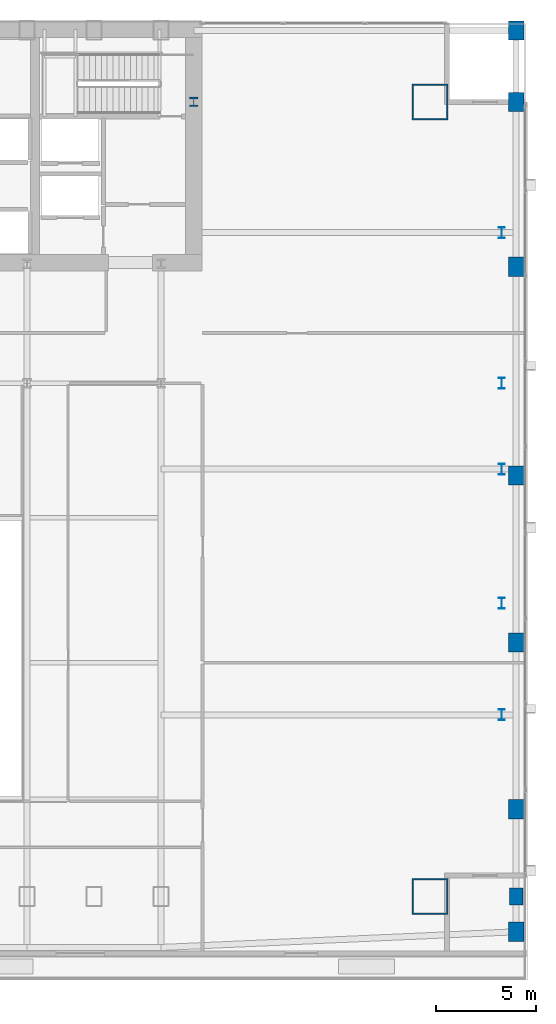
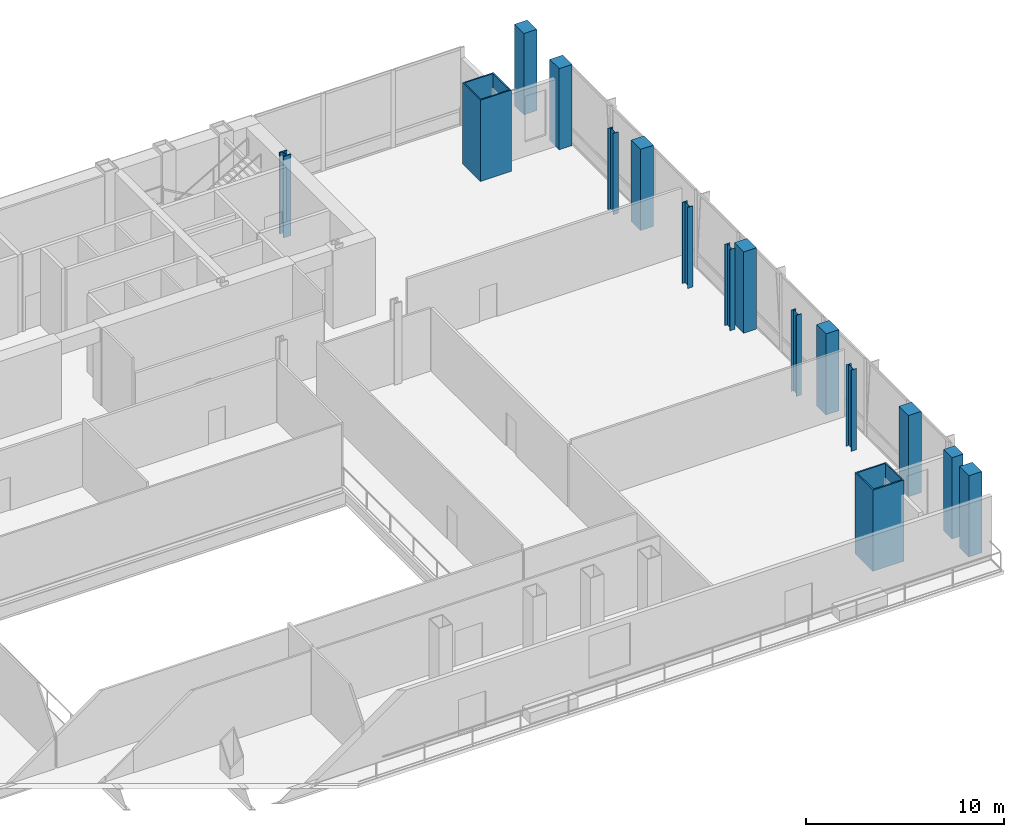
# One storey, part 4 of 25: 16 columns.
"""IFC4 building model written with IfcOpenShell, lengths in metres."""

from ifc_helpers import new_model, si_unit, direction, frame, origin, origin_2d, place, context, subcontext, project, spatial, rectangle, hollow_rectangle, i_section, extrude, material, material_profile, profile_set, type_object, element, save


model = new_model("IFC4")

# Units and contexts
model_context = context("Model", 3, precision=1e-05, world=origin(), true_north=direction((0.0, 1.0)))
body_context = subcontext(model_context, "Body", "Model", "MODEL_VIEW")
ifc_project = project(units=[si_unit("LENGTHUNIT", "METRE"), si_unit("AREAUNIT", "SQUARE_METRE"), si_unit("VOLUMEUNIT", "CUBIC_METRE"), si_unit("PLANEANGLEUNIT", "RADIAN"), si_unit("MASSUNIT", "GRAM", prefix="KILO")], contexts=[model_context])

# Site, building, storey
site_placement = place(None, origin())
site = spatial("IfcSite", under=ifc_project, at=site_placement, CompositionType="ELEMENT")
building_placement = place(site_placement, origin())
building = spatial("IfcBuilding", under=site, at=building_placement, Name="Khoronbel Lancet Exchange", CompositionType="ELEMENT")
storey_placement = place(building_placement, frame((0.0, 0.0, 15.39990234375)))
storey = spatial("IfcBuildingStorey", under=building, at=storey_placement, Name="L03", CompositionType="ELEMENT", Elevation=15.39990234375)

# Columns
ifc_material_1 = material(Name="Steel S460", Category="steel")
ifc_material_profile_1 = material_profile(ifc_material_1, i_section(OverallWidth=0.424072265625, OverallDepth=0.47412109375, WebThickness=0.047607421875, FlangeThickness=0.076904296875, at=origin_2d()), Name="HD 400x634")
ifc_profile_set_1 = profile_set([ifc_material_profile_1], Name="Steel S460")
column_type_1 = type_object("IfcColumnType", Name="COL-IC1", PredefinedType="COLUMN", material=ifc_profile_set_1)
column_1_placement = place(storey_placement, frame((56.300048828125, 49.699951171875, 0.0), z_axis=(0.0, 0.0, 1.0), x_axis=(1.0, 0.0, 0.0)))
element("IfcColumn", 1, at=column_1_placement, inside=storey, type_object=column_type_1, Name="Core-flank plumb transfer column CFE L03", PredefinedType="COLUMN", context=body_context, shape_type="SweptSolid", body=[
    extrude(i_section(OverallWidth=0.424072265625, OverallDepth=0.47412109375, WebThickness=0.047607421875, FlangeThickness=0.076904296875, at=origin_2d()), origin(), (0.0, 0.0, 1.0), 5.0),
])
ifc_material_2 = material(Name="Steel S355", Category="steel")
ifc_material_profile_2 = material_profile(ifc_material_2, i_section(OverallWidth=0.300048828125, OverallDepth=0.550048828125, WebThickness=0.014892578125, FlangeThickness=0.029052734375, at=origin_2d()), Name="HEB 550")
ifc_profile_set_2 = profile_set([ifc_material_profile_2], Name="Steel S355")
column_type_2 = type_object("IfcColumnType", Name="COL-LC1", PredefinedType="COLUMN", material=ifc_profile_set_2)
for number, where, z_axis, x_axis, name in (
    (2, (71.6298828125, 19.199951171875, 0.0), (0.0, 0.0, 1.0), (1.0, 0.0, 0.0), "Structural column EC-1 L03"),
    (3, (71.6298828125, 24.75, 0.0), (0.0, 0.0, 1.0), (1.0, 0.0, 0.0), "Structural column EC-2 L03"),
    (4, (71.6298828125, 31.425048828125, 0.0), (0.0, 0.0, 1.0), (1.0, 0.0, 0.0), "Structural column EC-M L03"),
    (5, (71.6298828125, 35.699951171875, 0.0), (0.0, 0.0, 1.0), (1.0, 0.0, 0.0), "Structural column EC-3 L03"),
    (6, (71.6298828125, 43.199951171875, 0.0), (0.0, 0.0, 1.0), (1.0, 0.0, 0.0), "Structural column EC-4 L03"),
):
    element("IfcColumn", number, at=place(storey_placement, frame(where, z_axis=z_axis, x_axis=x_axis)), inside=storey, type_object=column_type_2, Name=name, PredefinedType="COLUMN", context=body_context, shape_type="SweptSolid", body=[
        extrude(i_section(OverallWidth=0.300048828125, OverallDepth=0.550048828125, WebThickness=0.014892578125, FlangeThickness=0.029052734375, at=origin_2d()), origin(), (0.0, 0.0, 1.0), 5.0),
    ])
ifc_material_profile_3 = material_profile(ifc_material_1, hollow_rectangle(XDim=1.800048828125, YDim=1.800048828125, WallThickness=0.080078125, at=origin_2d()), Name="BOX 1800x1800x80")
ifc_profile_set_3 = profile_set([ifc_material_profile_3], Name="Steel S460")
column_type_3 = type_object("IfcColumnType", Name="COL-MC1", PredefinedType="COLUMN", material=ifc_profile_set_3)
for number, where, z_axis, x_axis, name in (
    (7, (68.050048828125, 10.14990234375, 0.0), (0.0, 0.0, 1.0), (1.0, 0.0, 0.0), "Structural column MC-SE L03"),
    (8, (68.050048828125, 49.699951171875, 0.0), (0.0, 0.0, 1.0), (1.0, 0.0, 0.0), "Structural column MC-NE L03"),
):
    element("IfcColumn", number, at=place(storey_placement, frame(where, z_axis=z_axis, x_axis=x_axis)), inside=storey, type_object=column_type_3, Name=name, PredefinedType="COLUMN", context=body_context, shape_type="SweptSolid", body=[
        extrude(hollow_rectangle(XDim=1.800048828125, YDim=1.800048828125, WallThickness=0.080078125, at=origin_2d()), origin(), (0.0, 0.0, 1.0), 5.0),
    ])
ifc_material_3 = material(Name="Concrete C60/75", Category="concrete")
ifc_material_profile_4 = material_profile(ifc_material_3, rectangle(XDim=0.75, YDim=0.949951171875, at=origin_2d()), Name="RC 750x950")
ifc_profile_set_4 = profile_set([ifc_material_profile_4], Name="Concrete C60/75")
column_type_4 = type_object("IfcColumnType", Name="COL-PIL2", PredefinedType="PILASTER", material=ifc_profile_set_4)
for number, where, z_axis, x_axis, name in (
    (9, (72.35009765625, 8.39990234375, 0.0), (0.0, 0.0, 1.0), (1.0, 0.0, 0.0), "Podium Gothic colonnade pilaster SEP L03"),
    (10, (72.35009765625, 49.699951171875, 0.0), (0.0, 0.0, 1.0), (1.0, 0.0, 0.0), "Podium Gothic colonnade pilaster NEMC L03"),
    (11, (72.35009765625, 53.25, 0.0), (0.0, 0.0, 1.0), (1.0, 0.0, 0.0), "Podium Gothic colonnade pilaster NEP L03"),
    (12, (72.35009765625, 14.5, 0.0), (0.0, 0.0, 1.0), (1.0, 0.0, 0.0), "Podium Gothic colonnade pilaster E1 L03"),
    (13, (72.35009765625, 22.800048828125, 0.0), (0.0, 0.0, 1.0), (1.0, 0.0, 0.0), "Podium Gothic colonnade pilaster E2 L03"),
    (14, (72.35009765625, 31.10009765625, 0.0), (0.0, 0.0, 1.0), (1.0, 0.0, 0.0), "Podium Gothic colonnade pilaster E3 L03"),
    (15, (72.35009765625, 41.5, 0.0), (0.0, 0.0, 1.0), (1.0, 0.0, 0.0), "Podium Gothic colonnade pilaster E4 L03"),
):
    element("IfcColumn", number, at=place(storey_placement, frame(where, z_axis=z_axis, x_axis=x_axis)), inside=storey, type_object=column_type_4, Name=name, PredefinedType="PILASTER", context=body_context, shape_type="SweptSolid", body=[
        extrude(rectangle(XDim=0.75, YDim=0.949951171875, at=origin_2d()), origin(), (0.0, 0.0, 1.0), 5.0),
    ])
ifc_material_profile_5 = material_profile(ifc_material_3, rectangle(XDim=0.64990234375, YDim=0.85009765625, at=origin_2d()), Name="RC 650x850")
ifc_profile_set_5 = profile_set([ifc_material_profile_5], Name="Concrete C60/75")
column_type_5 = type_object("IfcColumnType", Name="COL-PIL3", PredefinedType="PILASTER", material=ifc_profile_set_5)
column_2_placement = place(storey_placement, frame((72.35009765625, 10.14990234375, 0.0), z_axis=(0.0, 0.0, 1.0), x_axis=(1.0, 0.0, 0.0)))
element("IfcColumn", 16, at=column_2_placement, inside=storey, type_object=column_type_5, Name="Podium Gothic colonnade pilaster EMC L03", PredefinedType="PILASTER", context=body_context, shape_type="SweptSolid", body=[
    extrude(rectangle(XDim=0.64990234375, YDim=0.85009765625, at=origin_2d()), origin(), (0.0, 0.0, 1.0), 5.0),
])

save(model, "model.ifc")
